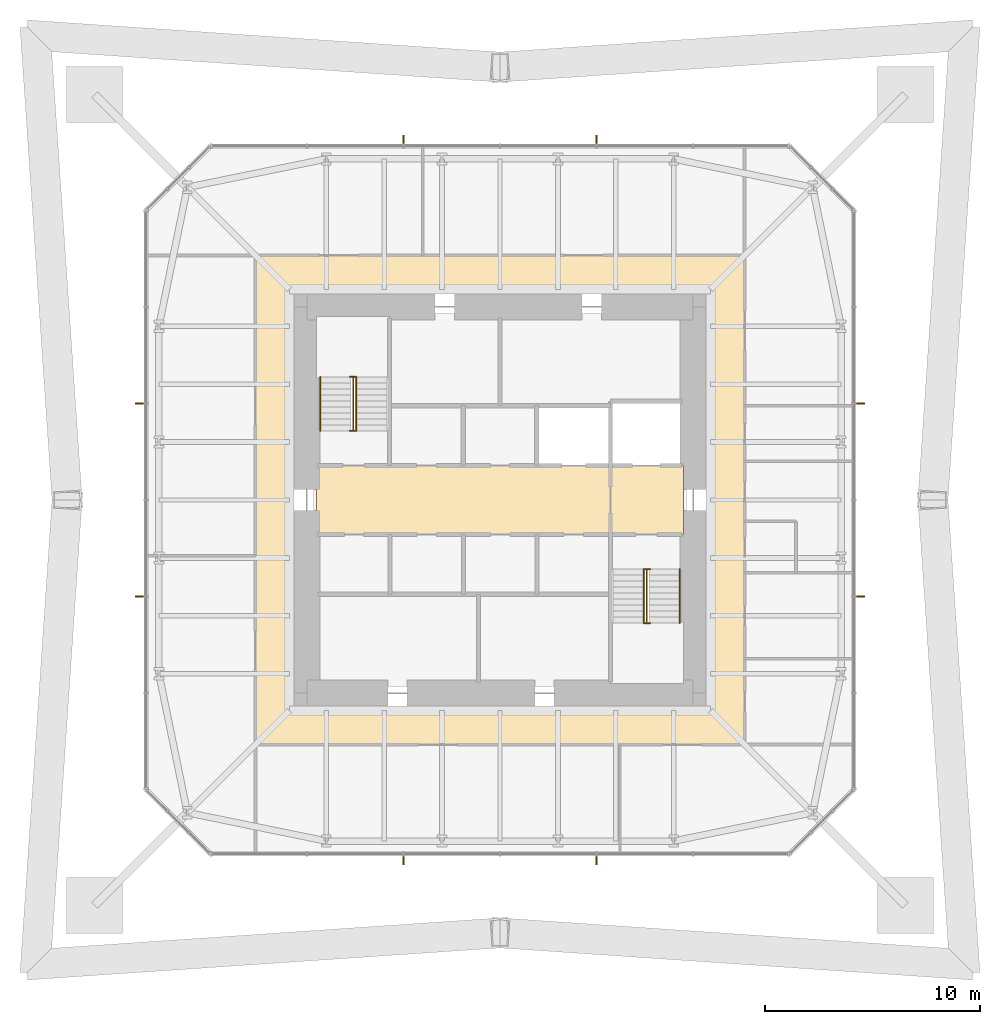
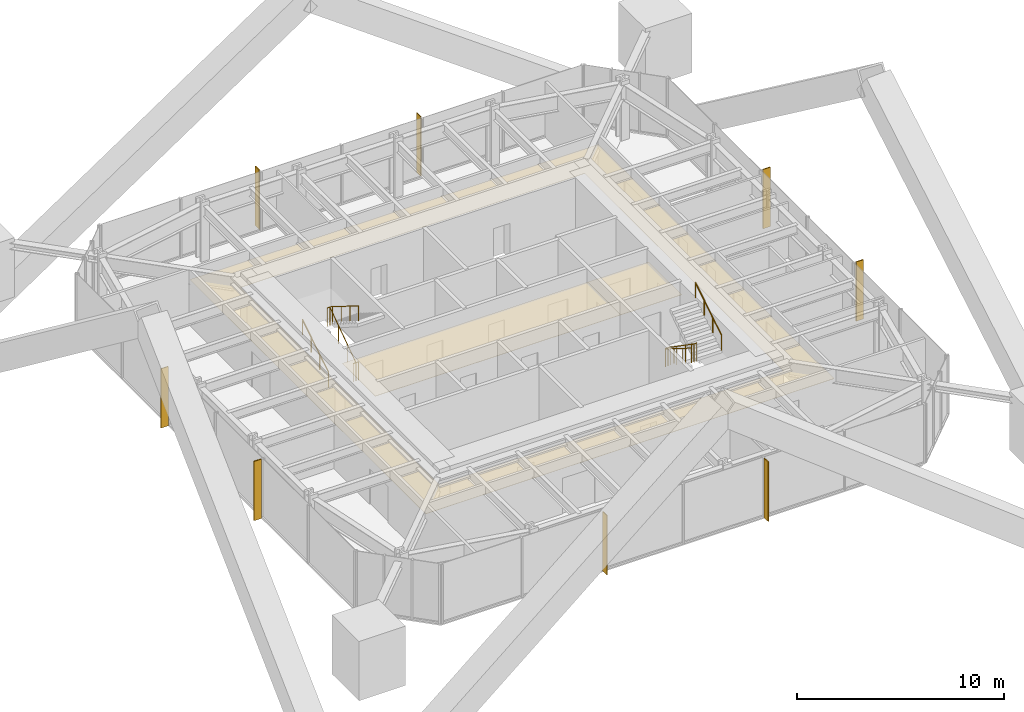
# One storey, part 11 of 11: 8 shading devices, 6 railings, 3 coverings.
"""IFC4 building model written with IfcOpenShell, lengths in metres."""

from ifc_helpers import new_model, si_unit, direction, frame, origin, origin_2d, place, context, subcontext, project, spatial, polyline, rectangle, circle, outline, extrude, material, layer, layer_set, constituent, constituent_set, type_object, element, save


model = new_model("IFC4")

# Units and contexts
model_context = context("Model", 3, precision=1e-05, world=origin(), true_north=direction((0.0, 1.0)))
body_context = subcontext(model_context, "Body", "Model", "MODEL_VIEW")
ifc_project = project(units=[si_unit("LENGTHUNIT", "METRE"), si_unit("AREAUNIT", "SQUARE_METRE"), si_unit("VOLUMEUNIT", "CUBIC_METRE"), si_unit("PLANEANGLEUNIT", "RADIAN"), si_unit("MASSUNIT", "GRAM", prefix="KILO")], contexts=[model_context])

# Site, building, storey
site_placement = place(None, origin())
site = spatial("IfcSite", under=ifc_project, at=site_placement, CompositionType="ELEMENT")
building_placement = place(site_placement, origin())
building = spatial("IfcBuilding", under=site, at=building_placement, Name="Iwan Alto Co-Living Towers", CompositionType="ELEMENT")
storey_placement = place(building_placement, frame((0.0, 0.0, 215.0)))
storey = spatial("IfcBuildingStorey", under=building, at=storey_placement, Name="L58", CompositionType="ELEMENT", Elevation=215.0)

# Coverings
ifc_material_1 = material(Name="Mineral fibre acoustic tiles on steel grid", Category="steel")
ifc_layer_1 = layer(ifc_material_1, 0.02001953125)
ifc_layer_set_1 = layer_set([ifc_layer_1], Name="ACOUSTIC TILE CEILING 20")
covering_type_1 = type_object("IfcCoveringType", Name="ACOUSTIC TILE CEILING 20", PredefinedType="CEILING", material=ifc_layer_set_1)
covering_1_placement = place(storey_placement, frame((0.0, 0.0, 2.60009765625)))
element("IfcCovering", 1, at=covering_1_placement, inside=storey, type_object=covering_type_1, Name="Ceiling Lift lobby L58", PredefinedType="CEILING", context=body_context, shape_type="SweptSolid", body=[
    extrude(outline(polyline([(-8.550048828125, -1.60009765625), (-8.550048828125, 1.60009765625), (5.14990234375, 1.60009765625), (5.14990234375, -1.60009765625), (-8.550048828125, -1.60009765625)])), origin(), (0.0, 0.0, 1.0), 0.02001953125),
])
covering_2_placement = place(storey_placement, frame((0.0, 0.0, 2.60009765625)))
element("IfcCovering", 2, at=covering_2_placement, inside=storey, type_object=covering_type_1, Name="Ceiling Firefighting lobby L58", PredefinedType="CEILING", context=body_context, shape_type="SweptSolid", body=[
    extrude(outline(polyline([(5.14990234375, -1.60009765625), (5.14990234375, 1.60009765625), (8.550048828125, 1.60009765625), (8.550048828125, -1.60009765625), (5.14990234375, -1.60009765625)])), origin(), (0.0, 0.0, 1.0), 0.02001953125),
])

# Shading devices
ifc_material_2 = material(Name="Aluminium 6063-T6 bronze anodised", Category="aluminium")
ifc_layer_2 = layer(ifc_material_2, 0.050048828125)
ifc_layer_set_2 = layer_set([ifc_layer_2], Name="BRONZE FIN 50X400")
shading_device_type = type_object("IfcShadingDeviceType", Name="BRONZE FIN 50X400", PredefinedType="USERDEFINED", material=ifc_layer_set_2)
for number, where, z_axis, x_axis, name in (
    (3, (-4.5, -16.800048828125, 0.0), (0.0, 0.0, 1.0), (1.0, 0.0, 0.0), "Bronze fin L58"),
    (4, (4.5, -16.800048828125, 0.0), (0.0, 0.0, 1.0), (1.0, 0.0, 0.0), "Bronze fin L58"),
    (5, (16.800048828125, -4.5, 0.0), (0.0, 0.0, 1.0), (0.0, 1.0, 0.0), "Bronze fin L58"),
    (6, (16.800048828125, 4.5, 0.0), (0.0, 0.0, 1.0), (0.0, 1.0, 0.0), "Bronze fin L58"),
    (7, (4.5, 16.800048828125, 0.0), (0.0, 0.0, 1.0), (-1.0, 0.0, 0.0), "Bronze fin L58"),
    (8, (-4.5, 16.800048828125, 0.0), (0.0, 0.0, 1.0), (-1.0, 0.0, 0.0), "Bronze fin L58"),
    (9, (-16.800048828125, 4.5, 0.0), (0.0, 0.0, 1.0), (0.0, -1.0, 0.0), "Bronze fin L58"),
    (10, (-16.800048828125, -4.5, 0.0), (0.0, 0.0, 1.0), (0.0, -1.0, 0.0), "Bronze fin L58"),
):
    element("IfcShadingDevice", number, at=place(storey_placement, frame(where, z_axis=z_axis, x_axis=x_axis)), inside=storey, type_object=shading_device_type, Name=name, ObjectType="LOUVER", PredefinedType="USERDEFINED", context=body_context, shape_type="SweptSolid", body=[
        extrude(rectangle(XDim=0.050048828125, YDim=0.39990234375, at=origin_2d()), origin(), (0.0, 0.0, 1.0), 3.5),
    ])

# Railings
ifc_material_3 = material(Name="Steel ASTM A500 Gr C", Category="steel")
ifc_constituent_1 = constituent(ifc_material_3, Name="Rails and posts", Category="Framing")
ifc_material_4 = material(Name="Steel ASTM A36", Category="steel")
ifc_constituent_2 = constituent(ifc_material_4, Name="Bar infill", Category="Infill")
ifc_constituent_set = constituent_set(constituents=[ifc_constituent_1, ifc_constituent_2], Name="STAIR GUARD 1100")
railing_type_1 = type_object("IfcRailingType", Name="STAIR GUARD 1100", PredefinedType="GUARDRAIL", material=ifc_constituent_set)
railing_1_placement = place(storey_placement, frame((-6.85009765625, 3.219970703125, 0.0)))
element("IfcRailing", 11, at=railing_1_placement, inside=storey, type_object=railing_type_1, Name="Stair T1-S1 well guard L58", PredefinedType="GUARDRAIL", context=body_context, shape_type="SweptSolid", body=[
    extrude(circle(Radius=0.02392578125, at=origin_2d()), frame((0.0, 0.0, 1.076171875), z_axis=(0.0, 0.821372036852, 0.570392826987), x_axis=(-1.0, 0.0, 0.0)), (0.0, 0.0, 1.0), 3.068115234375),
    extrude(circle(Radius=0.02392578125, at=origin_2d()), frame((-0.14990234375, 0.0, 1.076171875), z_axis=(1.0, 0.0, 0.0), x_axis=(0.0, 1.0, 0.0)), (0.0, 0.0, 1.0), 0.300048828125),
    extrude(circle(Radius=0.02392578125, at=origin_2d()), frame((-0.14990234375, 2.52001953125, 2.826171875), z_axis=(1.0, 0.0, 0.0), x_axis=(0.0, 1.0, 0.0)), (0.0, 0.0, 1.0), 0.300048828125),
    extrude(circle(Radius=0.02099609375, at=origin_2d()), origin(), (0.0, 0.0, 1.0), 1.052001953125),
    extrude(circle(Radius=0.02099609375, at=origin_2d()), frame((0.0, 0.840087890625, 0.583251953125)), (0.0, 0.0, 1.0), 1.052001953125),
    extrude(circle(Radius=0.02099609375, at=origin_2d()), frame((0.0, 1.679931640625, 1.166748046875)), (0.0, 0.0, 1.0), 1.052001953125),
    extrude(circle(Radius=0.02099609375, at=origin_2d()), frame((0.0, 2.52001953125, 1.75)), (0.0, 0.0, 1.0), 1.052001953125),
    extrude(circle(Radius=0.02099609375, at=origin_2d()), frame((-0.14990234375, 0.0, 0.0)), (0.0, 0.0, 1.0), 1.052001953125),
    extrude(circle(Radius=0.02099609375, at=origin_2d()), frame((0.150146484375, 0.0, 0.0)), (0.0, 0.0, 1.0), 1.052001953125),
    extrude(circle(Radius=0.02099609375, at=origin_2d()), frame((-0.14990234375, 2.52001953125, 1.75)), (0.0, 0.0, 1.0), 1.052001953125),
    extrude(circle(Radius=0.02099609375, at=origin_2d()), frame((0.150146484375, 2.52001953125, 1.75)), (0.0, 0.0, 1.0), 1.052001953125),
])
railing_2_placement = place(storey_placement, frame((6.85009765625, -3.219970703125, 0.0)))
element("IfcRailing", 12, at=railing_2_placement, inside=storey, type_object=railing_type_1, Name="Stair T1-S2 well guard L58", PredefinedType="GUARDRAIL", context=body_context, shape_type="SweptSolid", body=[
    extrude(circle(Radius=0.02392578125, at=origin_2d()), frame((0.0, 0.0, 1.076171875), z_axis=(0.0, -0.821372036852, 0.570392826987), x_axis=(1.0, 0.0, 0.0)), (0.0, 0.0, 1.0), 3.068115234375),
    extrude(circle(Radius=0.02392578125, at=origin_2d()), frame((-0.150146484375, 0.0, 1.076171875), z_axis=(1.0, 0.0, 0.0), x_axis=(0.0, 1.0, 0.0)), (0.0, 0.0, 1.0), 0.300048828125),
    extrude(circle(Radius=0.02392578125, at=origin_2d()), frame((-0.150146484375, -2.52001953125, 2.826171875), z_axis=(1.0, 0.0, 0.0), x_axis=(0.0, 1.0, 0.0)), (0.0, 0.0, 1.0), 0.300048828125),
    extrude(circle(Radius=0.02099609375, at=origin_2d()), origin(), (0.0, 0.0, 1.0), 1.052001953125),
    extrude(circle(Radius=0.02099609375, at=origin_2d()), frame((0.0, -0.840087890625, 0.583251953125)), (0.0, 0.0, 1.0), 1.052001953125),
    extrude(circle(Radius=0.02099609375, at=origin_2d()), frame((0.0, -1.679931640625, 1.166748046875)), (0.0, 0.0, 1.0), 1.052001953125),
    extrude(circle(Radius=0.02099609375, at=origin_2d()), frame((0.0, -2.52001953125, 1.75)), (0.0, 0.0, 1.0), 1.052001953125),
    extrude(circle(Radius=0.02099609375, at=origin_2d()), frame((-0.150146484375, 0.0, 0.0)), (0.0, 0.0, 1.0), 1.052001953125),
    extrude(circle(Radius=0.02099609375, at=origin_2d()), frame((0.14990234375, 0.0, 0.0)), (0.0, 0.0, 1.0), 1.052001953125),
    extrude(circle(Radius=0.02099609375, at=origin_2d()), frame((-0.150146484375, -2.52001953125, 1.75)), (0.0, 0.0, 1.0), 1.052001953125),
    extrude(circle(Radius=0.02099609375, at=origin_2d()), frame((0.14990234375, -2.52001953125, 1.75)), (0.0, 0.0, 1.0), 1.052001953125),
])
ifc_material_5 = material(Name="Steel ASTM A500 Gr C", Category="steel")
railing_type_2 = type_object("IfcRailingType", Name="STAIR HANDRAIL 900", PredefinedType="HANDRAIL", material=ifc_material_5)
railing_3_placement = place(storey_placement, frame((-8.3798828125, 3.219970703125, 0.175048828125)))
element("IfcRailing", 13, at=railing_3_placement, inside=storey, type_object=railing_type_2, Name="Stair T1-S1 handrail 1 L58", PredefinedType="HANDRAIL", context=body_context, shape_type="SweptSolid", body=[
    extrude(circle(Radius=0.02392578125, at=origin_2d()), frame((0.0, 0.0, 0.8759765625), z_axis=(0.0, 0.848007534815, 0.529984170421), x_axis=(-1.0, 0.0, 0.0)), (0.0, 0.0, 1.0), 2.9716796875),
    extrude(circle(Radius=0.02099609375, at=origin_2d()), origin(), (0.0, 0.0, 1.0), 0.851806640625),
    extrude(circle(Radius=0.02099609375, at=origin_2d()), frame((0.0, 0.840087890625, 0.52490234375)), (0.0, 0.0, 1.0), 0.851806640625),
    extrude(circle(Radius=0.02099609375, at=origin_2d()), frame((0.0, 1.679931640625, 1.050048828125)), (0.0, 0.0, 1.0), 0.851806640625),
    extrude(circle(Radius=0.02099609375, at=origin_2d()), frame((0.0, 2.52001953125, 1.574951171875)), (0.0, 0.0, 1.0), 0.851806640625),
])
for number, where, name in (
    (14, (-6.699951171875, 5.739990234375, 1.925048828125), "Stair T1-S1 handrail 2 L58"),
    (15, (6.699951171875, -3.219970703125, 0.175048828125), "Stair T1-S2 handrail 1 L58"),
):
    element("IfcRailing", number, at=place(storey_placement, frame(where)), inside=storey, type_object=railing_type_2, Name=name, PredefinedType="HANDRAIL", context=body_context, shape_type="SweptSolid", body=[
        extrude(circle(Radius=0.02392578125, at=origin_2d()), frame((0.0, 0.0, 0.8759765625), z_axis=(0.0, -0.848007534815, 0.529984170421), x_axis=(1.0, 0.0, 0.0)), (0.0, 0.0, 1.0), 2.9716796875),
        extrude(circle(Radius=0.02099609375, at=origin_2d()), origin(), (0.0, 0.0, 1.0), 0.851806640625),
        extrude(circle(Radius=0.02099609375, at=origin_2d()), frame((0.0, -0.840087890625, 0.52490234375)), (0.0, 0.0, 1.0), 0.851806640625),
        extrude(circle(Radius=0.02099609375, at=origin_2d()), frame((0.0, -1.679931640625, 1.050048828125)), (0.0, 0.0, 1.0), 0.851806640625),
        extrude(circle(Radius=0.02099609375, at=origin_2d()), frame((0.0, -2.52001953125, 1.574951171875)), (0.0, 0.0, 1.0), 0.851806640625),
    ])
railing_4_placement = place(storey_placement, frame((8.3798828125, -5.739990234375, 1.925048828125)))
element("IfcRailing", 16, at=railing_4_placement, inside=storey, type_object=railing_type_2, Name="Stair T1-S2 handrail 2 L58", PredefinedType="HANDRAIL", context=body_context, shape_type="SweptSolid", body=[
    extrude(circle(Radius=0.02392578125, at=origin_2d()), frame((0.0, 0.0, 0.8759765625), z_axis=(0.0, 0.848007534815, 0.529984170421), x_axis=(-1.0, 0.0, 0.0)), (0.0, 0.0, 1.0), 2.9716796875),
    extrude(circle(Radius=0.02099609375, at=origin_2d()), origin(), (0.0, 0.0, 1.0), 0.851806640625),
    extrude(circle(Radius=0.02099609375, at=origin_2d()), frame((0.0, 0.840087890625, 0.52490234375)), (0.0, 0.0, 1.0), 0.851806640625),
    extrude(circle(Radius=0.02099609375, at=origin_2d()), frame((0.0, 1.679931640625, 1.050048828125)), (0.0, 0.0, 1.0), 0.851806640625),
    extrude(circle(Radius=0.02099609375, at=origin_2d()), frame((0.0, 2.52001953125, 1.574951171875)), (0.0, 0.0, 1.0), 0.851806640625),
])

# Covering
ifc_material_6 = material(Name="Gypsum plasterboard on steel grid", Category="steel")
ifc_layer_3 = layer(ifc_material_6, 0.014892578125)
ifc_layer_set_3 = layer_set([ifc_layer_3], Name="SUSPENDED PLASTERBOARD CEILING 15")
covering_type_2 = type_object("IfcCoveringType", Name="SUSPENDED PLASTERBOARD CEILING 15", PredefinedType="CEILING", material=ifc_layer_set_3)
covering_3_placement = place(storey_placement, frame((0.0, 0.0, 2.60009765625)))
element("IfcCovering", 17, at=covering_3_placement, inside=storey, type_object=covering_type_2, Name="Ceiling Corridor L58", PredefinedType="CEILING", context=body_context, shape_type="SweptSolid", body=[
    extrude(outline(polyline([(-11.39990234375, 11.39990234375), (11.39990234375, 11.39990234375), (11.39990234375, -11.39990234375), (-11.39990234375, -11.39990234375), (-11.39990234375, 11.39990234375)]), holes=[polyline([(-9.60009765625, 9.60009765625), (-9.60009765625, -9.60009765625), (9.60009765625, -9.60009765625), (9.60009765625, 9.60009765625), (-9.60009765625, 9.60009765625)])]), origin(), (0.0, 0.0, 1.0), 0.014892578125),
])

save(model, "model.ifc")
